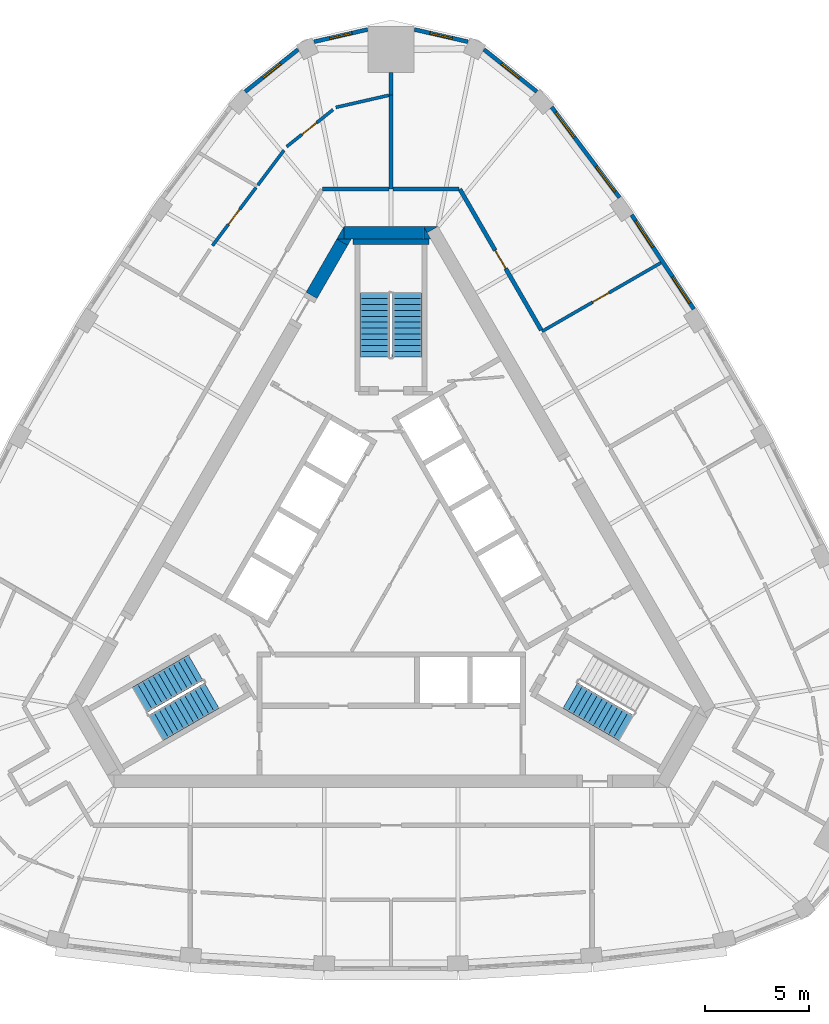
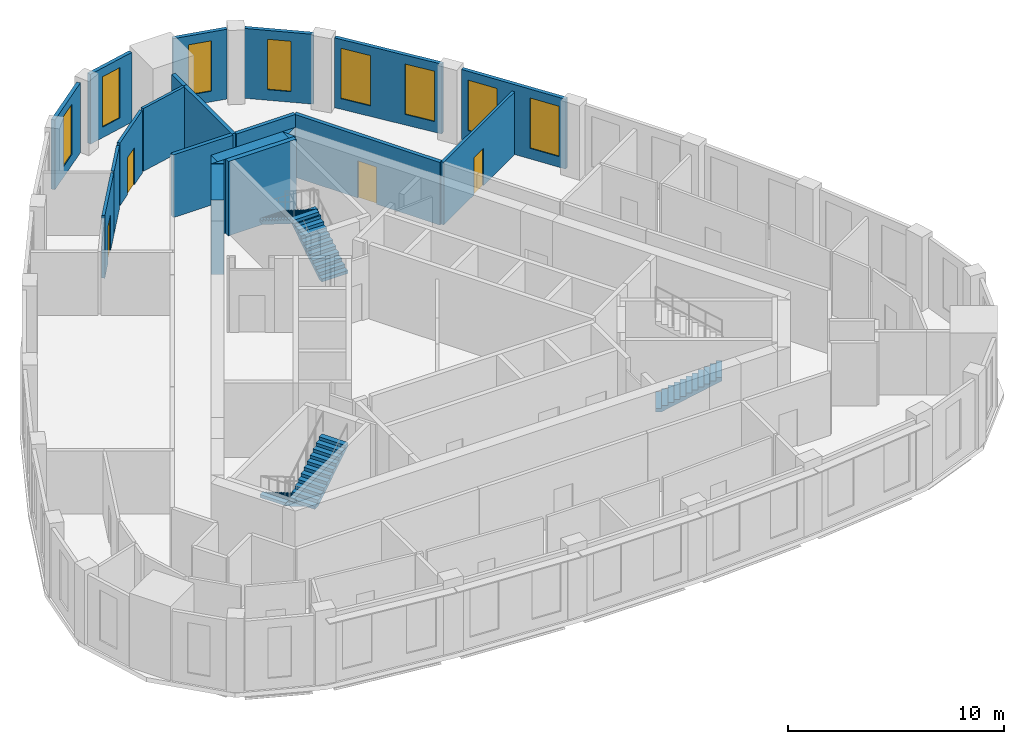
# One storey, part 8 of 10: 23 walls, 8 windows, 5 stair flights, 4 doors, 12 openings, 3 elements without a shape of their own.
"""IFC4 building model written with IfcOpenShell, lengths in metres."""

from ifc_helpers import new_model, si_unit, direction, frame, frame_2d, origin, place, context, subcontext, project, spatial, polyline, rectangle, outline, extrude, material, layer, layer_set, type_object, element, fill, aggregate, save


model = new_model("IFC4")

# Units and contexts
model_context = context("Model", 3, precision=1e-05, world=origin(), true_north=direction((0.0, 1.0)))
body_context = subcontext(model_context, "Body", "Model", "MODEL_VIEW")
ifc_project = project(units=[si_unit("LENGTHUNIT", "METRE"), si_unit("AREAUNIT", "SQUARE_METRE"), si_unit("VOLUMEUNIT", "CUBIC_METRE"), si_unit("PLANEANGLEUNIT", "RADIAN"), si_unit("MASSUNIT", "GRAM", prefix="KILO")], contexts=[model_context])

# Site, building, storey
site_placement = place(None, origin())
site = spatial("IfcSite", under=ifc_project, at=site_placement, CompositionType="ELEMENT")
building_placement = place(site_placement, origin())
building = spatial("IfcBuilding", under=site, at=building_placement, Name="Mestral Congress Tower", CompositionType="ELEMENT")
storey_placement = place(building_placement, frame((0.0, 0.0, 313.199951171875)))
storey = spatial("IfcBuildingStorey", under=building, at=storey_placement, Name="L73", CompositionType="ELEMENT", Elevation=313.199951171875)

# Walls
ifc_material_1 = material(Name="Concrete C60/75", Category="concrete")
ifc_layer_1 = layer(ifc_material_1, 0.60009765625)
ifc_layer_set_1 = layer_set([ifc_layer_1], Name="Concrete C60/75")
wall_type_1 = type_object("IfcWallType", Name="Core wall RC 600", PredefinedType="SOLIDWALL", material=ifc_layer_set_1)
placement = place(storey_placement, origin())
element("IfcWall", 1, at=placement, inside=storey, type_object=wall_type_1, Name="L73 core wall", PredefinedType="SOLIDWALL", context=body_context, shape_type="SweptSolid", body=[
    extrude(outline(polyline([(1.558837890625, 16.60009765625), (2.23486328125, 16.60009765625), (1.727783203125, 16.307373046875), (1.558837890625, 16.60009765625)])), origin(), (0.0, 0.0, 1.0), 4.199951171875),
])
wall_2_placement = place(storey_placement, frame((-2.258056640625, 16.300048828125, 0.0), z_axis=(0.0, 0.0, 1.0), x_axis=(1.0, 0.0, 0.0)))
element("IfcWall", 2, at=wall_2_placement, inside=storey, type_object=wall_type_1, Name="L73 core wall", PredefinedType="SOLIDWALL", context=body_context, shape_type="SweptSolid", body=[
    extrude(rectangle(XDim=3.8232421875, YDim=0.60009765625, at=frame_2d((1.91162109375, 0.0))), origin(), (0.0, 0.0, 1.0), 4.199951171875),
])
element("IfcWall", 3, at=placement, inside=storey, type_object=wall_type_1, Name="L73 core wall", PredefinedType="SOLIDWALL", context=body_context, shape_type="SweptSolid", body=[
    extrude(outline(polyline([(1.9052734375, 16.0), (1.5673828125, 16.0), (1.5673828125, 16.58544921875), (1.9052734375, 16.0)])), origin(), (0.0, 0.0, 1.0), 4.199951171875),
])
element("IfcWall", 4, at=placement, inside=storey, type_object=wall_type_1, Name="L73 core wall", PredefinedType="SOLIDWALL", context=body_context, shape_type="SweptSolid", body=[
    extrude(outline(polyline([(-2.59814453125, 16.0), (-2.260009765625, 16.58544921875), (-2.260009765625, 16.0), (-2.59814453125, 16.0)])), origin(), (0.0, 0.0, 1.0), 4.199951171875),
])
wall_5_placement = place(storey_placement, frame((-2.335205078125, 15.85546875, 0.0), z_axis=(0.0, 0.0, 1.0), x_axis=(-0.499960127962, -0.866048422692, 0.0)))
element("IfcWall", 5, at=wall_5_placement, inside=storey, type_object=wall_type_1, Name="L73 core wall", PredefinedType="SOLIDWALL", context=body_context, shape_type="SweptSolid", body=[
    extrude(rectangle(XDim=2.934326171875, YDim=0.60009765625, at=frame_2d((1.46728515625, 0.0))), origin(), (0.0, 0.0, 1.0), 4.199951171875),
])
element("IfcWall", 6, at=placement, inside=storey, type_object=wall_type_1, Name="L73 core wall", PredefinedType="SOLIDWALL", context=body_context, shape_type="SweptSolid", body=[
    extrude(outline(polyline([(-1.9052734375, 16.0), (-2.07421875, 15.707275390625), (-2.581298828125, 16.0), (-1.9052734375, 16.0)])), origin(), (0.0, 0.0, 1.0), 4.199951171875),
])

# Wall, openings, windows
ifc_material_2 = material(Name="Precast concrete C40/50 with limestone facing", Category="masonry")
ifc_layer_2 = layer(ifc_material_2, 0.18994140625)
ifc_layer_set_2 = layer_set([ifc_layer_2], Name="Precast concrete C40/50 with limestone facing")
wall_type_2 = type_object("IfcWallType", Name="Facade stone wall 190", PredefinedType="SOLIDWALL", material=ifc_layer_set_2)
wall_7_placement = place(storey_placement, frame((14.49560546875, 12.6533203125, 0.0), z_axis=(0.0, 0.0, 1.0), x_axis=(-0.550744054781, 0.83467417962, 0.0)))
wall_7 = element("IfcWall", 7, at=wall_7_placement, inside=storey, type_object=wall_type_2, Name="Facade wall F1-03", PredefinedType="SOLIDWALL", context=body_context, shape_type="SweptSolid", body=[
    extrude(rectangle(XDim=5.406005859375, YDim=0.18994140625, at=frame_2d((2.703125, 0.0))), origin(), (0.0, 0.0, 1.0), 3.949951171875),
])
opening_1_placement = place(wall_7_placement, frame((0.346435546875, 0.0, 0.60009765625)))
opening_1 = element("IfcOpeningElement", 8, at=opening_1_placement, cuts=wall_7, Name="Opening W6", PredefinedType="OPENING", context=body_context, shape_type="SweptSolid", body=[
    extrude(rectangle(XDim=1.5, YDim=2.85009765625, at=frame_2d((0.75, 1.425048828125))), frame((0.0, 0.10498046875, 0.0), z_axis=(0.0, -1.0, 0.0), x_axis=(1.0, 0.0, 0.0)), (0.0, 0.0, 1.0), 0.2099609375),
])
opening_2_placement = place(wall_7_placement, frame((3.559326171875, 0.0, 0.60009765625)))
opening_2 = element("IfcOpeningElement", 9, at=opening_2_placement, cuts=wall_7, Name="Opening W6", PredefinedType="OPENING", context=body_context, shape_type="SweptSolid", body=[
    extrude(rectangle(XDim=1.5, YDim=2.85009765625, at=frame_2d((0.75, 1.425048828125))), frame((0.0, 0.10498046875, 0.0), z_axis=(0.0, -1.0, 0.0), x_axis=(1.0, 0.0, 0.0)), (0.0, 0.0, 1.0), 0.2099609375),
])
ifc_material_3 = material(Name="Clear low-emissivity double glazing", Category="glass")
window_type_1 = type_object("IfcWindowType", Name="Facade punched window 1500 x 2850 sill 600", PartitioningType="SINGLE_PANEL", PredefinedType="WINDOW", material=ifc_material_3)
window_1_placement = place(opening_1_placement, origin())
window_1 = element("IfcWindow", 10, at=window_1_placement, inside=storey, type_object=window_type_1, Name="Window F1-03a", OverallHeight=2.85009765625, OverallWidth=1.5, PartitioningType="SINGLE_PANEL", PredefinedType="WINDOW", context=body_context, shape_type="SweptSolid", body=[
    extrude(rectangle(XDim=1.5, YDim=2.85009765625, at=frame_2d((0.75, 1.425048828125))), frame((0.0, 0.044921875, 0.0), z_axis=(0.0, -1.0, 0.0), x_axis=(1.0, 0.0, 0.0)), (0.0, 0.0, 1.0), 0.06005859375),
])
fill(opening_1, window_1)
window_2_placement = place(opening_2_placement, origin())
window_2 = element("IfcWindow", 11, at=window_2_placement, inside=storey, type_object=window_type_1, Name="Window F1-03b", OverallHeight=2.85009765625, OverallWidth=1.5, PartitioningType="SINGLE_PANEL", PredefinedType="WINDOW", context=body_context, shape_type="SweptSolid", body=[
    extrude(rectangle(XDim=1.5, YDim=2.85009765625, at=frame_2d((0.75, 1.425048828125))), frame((0.0, 0.044921875, 0.0), z_axis=(0.0, -1.0, 0.0), x_axis=(1.0, 0.0, 0.0)), (0.0, 0.0, 1.0), 0.06005859375),
])
fill(opening_2, window_2)

wall_8_placement = place(storey_placement, frame((10.938232421875, 17.989990234375, 0.0), z_axis=(0.0, 0.0, 1.0), x_axis=(-0.599559865294, 0.800329911929, 0.0)))
wall_8 = element("IfcWall", 12, at=wall_8_placement, inside=storey, type_object=wall_type_2, Name="Facade wall F1-04", PredefinedType="SOLIDWALL", context=body_context, shape_type="SweptSolid", body=[
    extrude(rectangle(XDim=5.4150390625, YDim=0.18994140625, at=frame_2d((2.70751953125, 0.0))), origin(), (0.0, 0.0, 1.0), 3.949951171875),
])
opening_3_placement = place(wall_8_placement, frame((0.357666015625, 0.0, 0.60009765625)))
opening_3 = element("IfcOpeningElement", 13, at=opening_3_placement, cuts=wall_8, Name="Opening W6", PredefinedType="OPENING", context=body_context, shape_type="SweptSolid", body=[
    extrude(rectangle(XDim=1.5, YDim=2.85009765625, at=frame_2d((0.75, 1.425048828125))), frame((0.0, 0.10498046875, 0.0), z_axis=(0.0, -1.0, 0.0), x_axis=(1.0, 0.0, 0.0)), (0.0, 0.0, 1.0), 0.2099609375),
])
opening_4_placement = place(wall_8_placement, frame((3.592529296875, 0.0, 0.60009765625)))
opening_4 = element("IfcOpeningElement", 14, at=opening_4_placement, cuts=wall_8, Name="Opening W6", PredefinedType="OPENING", context=body_context, shape_type="SweptSolid", body=[
    extrude(rectangle(XDim=1.5, YDim=2.85009765625, at=frame_2d((0.75, 1.425048828125))), frame((0.0, 0.10498046875, 0.0), z_axis=(0.0, -1.0, 0.0), x_axis=(1.0, 0.0, 0.0)), (0.0, 0.0, 1.0), 0.2099609375),
])
window_3_placement = place(opening_3_placement, origin())
window_3 = element("IfcWindow", 15, at=window_3_placement, inside=storey, type_object=window_type_1, Name="Window F1-04a", OverallHeight=2.85009765625, OverallWidth=1.5, PartitioningType="SINGLE_PANEL", PredefinedType="WINDOW", context=body_context, shape_type="SweptSolid", body=[
    extrude(rectangle(XDim=1.5, YDim=2.85009765625, at=frame_2d((0.75, 1.425048828125))), frame((0.0, 0.044921875, 0.0), z_axis=(0.0, -1.0, 0.0), x_axis=(1.0, 0.0, 0.0)), (0.0, 0.0, 1.0), 0.06005859375),
])
fill(opening_3, window_3)
window_4_placement = place(opening_4_placement, origin())
window_4 = element("IfcWindow", 16, at=window_4_placement, inside=storey, type_object=window_type_1, Name="Window F1-04b", OverallHeight=2.85009765625, OverallWidth=1.5, PartitioningType="SINGLE_PANEL", PredefinedType="WINDOW", context=body_context, shape_type="SweptSolid", body=[
    extrude(rectangle(XDim=1.5, YDim=2.85009765625, at=frame_2d((0.75, 1.425048828125))), frame((0.0, 0.044921875, 0.0), z_axis=(0.0, -1.0, 0.0), x_axis=(1.0, 0.0, 0.0)), (0.0, 0.0, 1.0), 0.06005859375),
])
fill(opening_4, window_4)

# Wall, opening, window
wall_9_placement = place(storey_placement, frame((6.977294921875, 23.061279296875, 0.0), z_axis=(0.0, 0.0, 1.0), x_axis=(-0.781626234064, 0.623747088349, 0.0)))
wall_9 = element("IfcWall", 17, at=wall_9_placement, inside=storey, type_object=wall_type_2, Name="Facade wall K1-0", PredefinedType="SOLIDWALL", context=body_context, shape_type="SweptSolid", body=[
    extrude(rectangle(XDim=3.236572265625, YDim=0.18994140625, at=frame_2d((1.6181640625, 0.0))), origin(), (0.0, 0.0, 1.0), 3.949951171875),
])
opening_5_placement = place(wall_9_placement, frame((1.068359375, 0.0, 0.60009765625)))
opening_5 = element("IfcOpeningElement", 18, at=opening_5_placement, cuts=wall_9, Name="Opening W7", PredefinedType="OPENING", context=body_context, shape_type="SweptSolid", body=[
    extrude(rectangle(XDim=1.10009765625, YDim=2.85009765625, at=frame_2d((0.550048828125, 1.425048828125))), frame((0.0, 0.10498046875, 0.0), z_axis=(0.0, -1.0, 0.0), x_axis=(1.0, 0.0, 0.0)), (0.0, 0.0, 1.0), 0.2099609375),
])
window_type_2 = type_object("IfcWindowType", Name="Facade punched window 1100 x 2850 sill 600", PartitioningType="SINGLE_PANEL", PredefinedType="WINDOW", material=ifc_material_3)
window_5_placement = place(opening_5_placement, origin())
window_5 = element("IfcWindow", 19, at=window_5_placement, inside=storey, type_object=window_type_2, Name="Window K1-0", OverallHeight=2.85009765625, OverallWidth=1.10009765625, PartitioningType="SINGLE_PANEL", PredefinedType="WINDOW", context=body_context, shape_type="SweptSolid", body=[
    extrude(rectangle(XDim=1.10009765625, YDim=2.85009765625, at=frame_2d((0.550048828125, 1.425048828125))), frame((0.0, 0.044921875, 0.0), z_axis=(0.0, -1.0, 0.0), x_axis=(1.0, 0.0, 0.0)), (0.0, 0.0, 1.0), 0.06005859375),
])
fill(opening_5, window_5)

wall_10_placement = place(storey_placement, frame((3.6826171875, 25.44873046875, 0.0), z_axis=(0.0, 0.0, 1.0), x_axis=(-0.974913273386, 0.222585060988, 0.0)))
wall_10 = element("IfcWall", 20, at=wall_10_placement, inside=storey, type_object=wall_type_2, Name="Facade wall K1-1", PredefinedType="SOLIDWALL", context=body_context, shape_type="SweptSolid", body=[
    extrude(rectangle(XDim=2.626953125, YDim=0.18994140625, at=frame_2d((1.3134765625, 0.0))), origin(), (0.0, 0.0, 1.0), 3.949951171875),
])
opening_6_placement = place(wall_10_placement, frame((0.763427734375, 0.0, 0.60009765625)))
opening_6 = element("IfcOpeningElement", 21, at=opening_6_placement, cuts=wall_10, Name="Opening W7", PredefinedType="OPENING", context=body_context, shape_type="SweptSolid", body=[
    extrude(rectangle(XDim=1.10009765625, YDim=2.85009765625, at=frame_2d((0.550048828125, 1.425048828125))), frame((0.0, 0.10498046875, 0.0), z_axis=(0.0, -1.0, 0.0), x_axis=(1.0, 0.0, 0.0)), (0.0, 0.0, 1.0), 0.2099609375),
])
window_6_placement = place(opening_6_placement, origin())
window_6 = element("IfcWindow", 22, at=window_6_placement, inside=storey, type_object=window_type_2, Name="Window K1-1", OverallHeight=2.85009765625, OverallWidth=1.10009765625, PartitioningType="SINGLE_PANEL", PredefinedType="WINDOW", context=body_context, shape_type="SweptSolid", body=[
    extrude(rectangle(XDim=1.10009765625, YDim=2.85009765625, at=frame_2d((0.550048828125, 1.425048828125))), frame((0.0, 0.044921875, 0.0), z_axis=(0.0, -1.0, 0.0), x_axis=(1.0, 0.0, 0.0)), (0.0, 0.0, 1.0), 0.06005859375),
])
fill(opening_6, window_6)

wall_11_placement = place(storey_placement, frame((-1.12158203125, 26.033447265625, 0.0), z_axis=(0.0, 0.0, 1.0), x_axis=(-0.974913273386, -0.222585060988, 0.0)))
wall_11 = element("IfcWall", 23, at=wall_11_placement, inside=storey, type_object=wall_type_2, Name="Facade wall K1-2", PredefinedType="SOLIDWALL", context=body_context, shape_type="SweptSolid", body=[
    extrude(rectangle(XDim=2.626953125, YDim=0.18994140625, at=frame_2d((1.3134765625, 0.0))), origin(), (0.0, 0.0, 1.0), 3.949951171875),
])
opening_7_placement = place(wall_11_placement, frame((0.763427734375, 0.0, 0.60009765625)))
opening_7 = element("IfcOpeningElement", 24, at=opening_7_placement, cuts=wall_11, Name="Opening W7", PredefinedType="OPENING", context=body_context, shape_type="SweptSolid", body=[
    extrude(rectangle(XDim=1.10009765625, YDim=2.85009765625, at=frame_2d((0.550048828125, 1.425048828125))), frame((0.0, 0.10498046875, 0.0), z_axis=(0.0, -1.0, 0.0), x_axis=(1.0, 0.0, 0.0)), (0.0, 0.0, 1.0), 0.2099609375),
])
window_7_placement = place(opening_7_placement, origin())
window_7 = element("IfcWindow", 25, at=window_7_placement, inside=storey, type_object=window_type_2, Name="Window K1-2", OverallHeight=2.85009765625, OverallWidth=1.10009765625, PartitioningType="SINGLE_PANEL", PredefinedType="WINDOW", context=body_context, shape_type="SweptSolid", body=[
    extrude(rectangle(XDim=1.10009765625, YDim=2.85009765625, at=frame_2d((0.550048828125, 1.425048828125))), frame((0.0, 0.044921875, 0.0), z_axis=(0.0, -1.0, 0.0), x_axis=(1.0, 0.0, 0.0)), (0.0, 0.0, 1.0), 0.06005859375),
])
fill(opening_7, window_7)

wall_12_placement = place(storey_placement, frame((-4.447509765625, 25.080078125, 0.0), z_axis=(0.0, 0.0, 1.0), x_axis=(-0.781626234064, -0.623747088349, 0.0)))
wall_12 = element("IfcWall", 26, at=wall_12_placement, inside=storey, type_object=wall_type_2, Name="Facade wall K1-3", PredefinedType="SOLIDWALL", context=body_context, shape_type="SweptSolid", body=[
    extrude(rectangle(XDim=3.236572265625, YDim=0.18994140625, at=frame_2d((1.6181640625, 0.0))), origin(), (0.0, 0.0, 1.0), 3.949951171875),
])
opening_8_placement = place(wall_12_placement, frame((1.068359375, 0.0, 0.60009765625)))
opening_8 = element("IfcOpeningElement", 27, at=opening_8_placement, cuts=wall_12, Name="Opening W7", PredefinedType="OPENING", context=body_context, shape_type="SweptSolid", body=[
    extrude(rectangle(XDim=1.10009765625, YDim=2.85009765625, at=frame_2d((0.550048828125, 1.425048828125))), frame((0.0, 0.10498046875, 0.0), z_axis=(0.0, -1.0, 0.0), x_axis=(1.0, 0.0, 0.0)), (0.0, 0.0, 1.0), 0.2099609375),
])
window_8_placement = place(opening_8_placement, origin())
window_8 = element("IfcWindow", 28, at=window_8_placement, inside=storey, type_object=window_type_2, Name="Window K1-3", OverallHeight=2.85009765625, OverallWidth=1.10009765625, PartitioningType="SINGLE_PANEL", PredefinedType="WINDOW", context=body_context, shape_type="SweptSolid", body=[
    extrude(rectangle(XDim=1.10009765625, YDim=2.85009765625, at=frame_2d((0.550048828125, 1.425048828125))), frame((0.0, 0.044921875, 0.0), z_axis=(0.0, -1.0, 0.0), x_axis=(1.0, 0.0, 0.0)), (0.0, 0.0, 1.0), 0.06005859375),
])
fill(opening_8, window_8)

# Wall, opening, door
ifc_material_4 = material(Name="Plasterboard partition on steel studs", Category="steel")
ifc_layer_3 = layer(ifc_material_4, 0.14990234375)
ifc_layer_set_3 = layer_set([ifc_layer_3], Name="Plasterboard partition on steel studs")
wall_type_3 = type_object("IfcWallType", Name="Office partition 150", PredefinedType="PARTITIONING", material=ifc_layer_set_3)
wall_13_placement = place(storey_placement, frame((12.91796875, 14.87158203125, 0.0), z_axis=(0.0, 0.0, 1.0), x_axis=(-0.866033427365, -0.499986102494, 0.0)))
wall_13 = element("IfcWall", 29, at=wall_13_placement, inside=storey, type_object=wall_type_3, Name="Partition", PredefinedType="PARTITIONING", context=body_context, shape_type="SweptSolid", body=[
    extrude(rectangle(XDim=6.572998046875, YDim=0.14990234375, at=frame_2d((3.28662109375, 0.0))), origin(), (0.0, 0.0, 1.0), 3.550048828125),
])
opening_9_placement = place(wall_13_placement, frame((2.873046875, 0.0, 0.0)))
opening_9 = element("IfcOpeningElement", 30, at=opening_9_placement, cuts=wall_13, Name="Opening O14-009", PredefinedType="OPENING", context=body_context, shape_type="SweptSolid", body=[
    extrude(rectangle(XDim=0.89990234375, YDim=2.10009765625, at=frame_2d((0.449951171875, 1.050048828125))), frame((0.0, 0.0849609375, 0.0), z_axis=(0.0, -1.0, 0.0), x_axis=(1.0, 0.0, 0.0)), (0.0, 0.0, 1.0), 0.169921875),
])
ifc_material_5 = material(Name="Timber door set", Category="wood")
door_type_1 = type_object("IfcDoorType", Name="Office door 900x2100", OperationType="SINGLE_SWING_LEFT", PredefinedType="DOOR", material=ifc_material_5)
door_1_placement = place(opening_9_placement, origin())
door_1 = element("IfcDoor", 31, at=door_1_placement, inside=storey, type_object=door_type_1, Name="Door O14-009", OperationType="SINGLE_SWING_RIGHT", OverallHeight=2.10009765625, OverallWidth=0.89990234375, PredefinedType="DOOR", context=body_context, shape_type="SweptSolid", body=[
    extrude(rectangle(XDim=0.89990234375, YDim=2.10009765625, at=frame_2d((0.449951171875, 1.050048828125))), frame((0.0, 0.02490234375, 0.0), z_axis=(0.0, -1.0, 0.0), x_axis=(1.0, 0.0, 0.0)), (0.0, 0.0, 1.0), 0.050048828125),
])
fill(opening_9, door_1)

# Wall
wall_14_placement = place(storey_placement, frame((-0.10009765625, 22.886962890625, 0.0), z_axis=(0.0, 0.0, 1.0), x_axis=(-0.974895716418, -0.222661945805, 0.0)))
element("IfcWall", 32, at=wall_14_placement, inside=storey, type_object=wall_type_3, Name="Partition", PredefinedType="PARTITIONING", context=body_context, shape_type="SweptSolid", body=[
    extrude(rectangle(XDim=2.605224609375, YDim=0.14990234375, at=frame_2d((1.302734375, 0.0))), origin(), (0.0, 0.0, 1.0), 3.550048828125),
])

# Wall, opening, door
wall_15_placement = place(storey_placement, frame((-4.995361328125, 20.42724609375, 0.0), z_axis=(0.0, 0.0, 1.0), x_axis=(0.781622833459, 0.62375134967, 0.0)))
wall_15 = element("IfcWall", 33, at=wall_15_placement, inside=storey, type_object=wall_type_3, Name="Partition", PredefinedType="PARTITIONING", context=body_context, shape_type="SweptSolid", body=[
    extrude(rectangle(XDim=2.8408203125, YDim=0.14990234375, at=frame_2d((1.42041015625, 0.0))), origin(), (0.0, 0.0, 1.0), 3.550048828125),
])
opening_10_placement = place(wall_15_placement, frame((0.940673828125, 0.0, 0.0)))
opening_10 = element("IfcOpeningElement", 34, at=opening_10_placement, cuts=wall_15, Name="Opening O14-011", PredefinedType="OPENING", context=body_context, shape_type="SweptSolid", body=[
    extrude(rectangle(XDim=0.89990234375, YDim=2.10009765625, at=frame_2d((0.449951171875, 1.050048828125))), frame((0.0, 0.0849609375, 0.0), z_axis=(0.0, -1.0, 0.0), x_axis=(1.0, 0.0, 0.0)), (0.0, 0.0, 1.0), 0.169921875),
])
door_2_placement = place(opening_10_placement, origin())
door_2 = element("IfcDoor", 35, at=door_2_placement, inside=storey, type_object=door_type_1, Name="Door O14-011", OperationType="SINGLE_SWING_LEFT", OverallHeight=2.10009765625, OverallWidth=0.89990234375, PredefinedType="DOOR", context=body_context, shape_type="SweptSolid", body=[
    extrude(rectangle(XDim=0.89990234375, YDim=2.10009765625, at=frame_2d((0.449951171875, 1.050048828125))), frame((0.0, 0.02490234375, 0.0), z_axis=(0.0, -1.0, 0.0), x_axis=(1.0, 0.0, 0.0)), (0.0, 0.0, 1.0), 0.050048828125),
])
fill(opening_10, door_2)

# Wall
wall_16_placement = place(storey_placement, frame((-5.123779296875, 20.255859375, 0.0), z_axis=(0.0, 0.0, 1.0), x_axis=(-0.599549274705, -0.800337845663, 0.0)))
element("IfcWall", 36, at=wall_16_placement, inside=storey, type_object=wall_type_3, Name="Partition", PredefinedType="PARTITIONING", context=body_context, shape_type="SweptSolid", body=[
    extrude(rectangle(XDim=2.080322265625, YDim=0.14990234375, at=frame_2d((1.0400390625, 0.0))), origin(), (0.0, 0.0, 1.0), 3.550048828125),
])

# Wall, opening, door
wall_17_placement = place(storey_placement, frame((-8.54443359375, 15.689697265625, 0.0), z_axis=(0.0, 0.0, 1.0), x_axis=(0.599538824769, 0.800345673815, 0.0)))
wall_17 = element("IfcWall", 37, at=wall_17_placement, inside=storey, type_object=wall_type_3, Name="Partition", PredefinedType="PARTITIONING", context=body_context, shape_type="SweptSolid", body=[
    extrude(rectangle(XDim=3.4736328125, YDim=0.14990234375, at=frame_2d((1.73681640625, 0.0))), origin(), (0.0, 0.0, 1.0), 3.550048828125),
])
opening_11_placement = place(wall_17_placement, frame((1.273681640625, 0.0, 0.0)))
opening_11 = element("IfcOpeningElement", 38, at=opening_11_placement, cuts=wall_17, Name="Opening O14-012", PredefinedType="OPENING", context=body_context, shape_type="SweptSolid", body=[
    extrude(rectangle(XDim=0.89990234375, YDim=2.10009765625, at=frame_2d((0.449951171875, 1.050048828125))), frame((0.0, 0.0849609375, 0.0), z_axis=(0.0, -1.0, 0.0), x_axis=(1.0, 0.0, 0.0)), (0.0, 0.0, 1.0), 0.169921875),
])
door_3_placement = place(opening_11_placement, origin())
door_3 = element("IfcDoor", 39, at=door_3_placement, inside=storey, type_object=door_type_1, Name="Door O14-012", OperationType="SINGLE_SWING_LEFT", OverallHeight=2.10009765625, OverallWidth=0.89990234375, PredefinedType="DOOR", context=body_context, shape_type="SweptSolid", body=[
    extrude(rectangle(XDim=0.89990234375, YDim=2.10009765625, at=frame_2d((0.449951171875, 1.050048828125))), frame((0.0, 0.02490234375, 0.0), z_axis=(0.0, -1.0, 0.0), x_axis=(1.0, 0.0, 0.0)), (0.0, 0.0, 1.0), 0.050048828125),
])
fill(opening_11, door_3)

# Walls
ifc_material_6 = material(Name="Dense masonry wall, plastered", Category="masonry")
ifc_layer_4 = layer(ifc_material_6, 0.199951171875)
ifc_layer_set_4 = layer_set([ifc_layer_4], Name="Dense masonry wall, plastered")
wall_type_4 = type_object("IfcWallType", Name="Office tenancy wall 200", PredefinedType="PARTITIONING", material=ifc_layer_set_4)
wall_18_placement = place(storey_placement, frame((0.0, 22.90576171875, 0.0), z_axis=(0.0, 0.0, 1.0), x_axis=(0.0, 1.0, 0.0)))
element("IfcWall", 40, at=wall_18_placement, inside=storey, type_object=wall_type_4, Name="Tenancy wall", PredefinedType="PARTITIONING", context=body_context, shape_type="SweptSolid", body=[
    extrude(rectangle(XDim=1.072265625, YDim=0.199951171875, at=frame_2d((0.5361328125, 0.0))), origin(), (0.0, 0.0, 1.0), 3.550048828125),
])
wall_19_placement = place(storey_placement, frame((0.0, 18.39990234375, 0.0), z_axis=(0.0, 0.0, 1.0), x_axis=(0.0, 1.0, 0.0)))
element("IfcWall", 41, at=wall_19_placement, inside=storey, type_object=wall_type_4, Name="Tenancy wall", PredefinedType="PARTITIONING", context=body_context, shape_type="SweptSolid", body=[
    extrude(rectangle(XDim=4.513916015625, YDim=0.199951171875, at=frame_2d((2.2568359375, 0.0))), origin(), (0.0, 0.0, 1.0), 3.550048828125),
])

# Wall, opening, door
wall_20_placement = place(storey_placement, frame((7.18798828125, 11.64990234375, 0.0), z_axis=(0.0, 0.0, 1.0), x_axis=(-0.499986368499, 0.866033273792, 0.0)))
wall_20 = element("IfcWall", 42, at=wall_20_placement, inside=storey, type_object=wall_type_4, Name="Tenancy wall", PredefinedType="PARTITIONING", context=body_context, shape_type="SweptSolid", body=[
    extrude(rectangle(XDim=7.794189453125, YDim=0.199951171875, at=frame_2d((3.89697265625, 0.0))), origin(), (0.0, 0.0, 1.0), 3.550048828125),
])
opening_12_placement = place(wall_20_placement, frame((3.39990234375, 0.0, 0.0)))
opening_12 = element("IfcOpeningElement", 43, at=opening_12_placement, cuts=wall_20, Name="Opening O14-010", PredefinedType="OPENING", context=body_context, shape_type="SweptSolid", body=[
    extrude(rectangle(XDim=1.0, YDim=2.10009765625, at=frame_2d((0.5, 1.050048828125))), frame((0.0, 0.10986328125, 0.0), z_axis=(0.0, -1.0, 0.0), x_axis=(1.0, 0.0, 0.0)), (0.0, 0.0, 1.0), 0.219970703125),
])
ifc_material_7 = material(Name="Fire-rated timber door set", Category="wood")
door_type_2 = type_object("IfcDoorType", Name="Office tenancy entrance door 1000x2100", OperationType="SINGLE_SWING_LEFT", PredefinedType="DOOR", material=ifc_material_7)
door_4_placement = place(opening_12_placement, origin())
door_4 = element("IfcDoor", 44, at=door_4_placement, inside=storey, type_object=door_type_2, Name="Door O14-010", OperationType="SINGLE_SWING_RIGHT", OverallHeight=2.10009765625, OverallWidth=1.0, PredefinedType="DOOR", context=body_context, shape_type="SweptSolid", body=[
    extrude(rectangle(XDim=1.0, YDim=2.10009765625, at=frame_2d((0.5, 1.050048828125))), frame((0.0, 0.02490234375, 0.0), z_axis=(0.0, -1.0, 0.0), x_axis=(1.0, 0.0, 0.0)), (0.0, 0.0, 1.0), 0.050048828125),
])
fill(opening_12, door_4)

# Walls
wall_21_placement = place(storey_placement, frame((3.260986328125, 18.39990234375, 0.0), z_axis=(0.0, 0.0, 1.0), x_axis=(-1.0, 0.0, 0.0)))
element("IfcWall", 45, at=wall_21_placement, inside=storey, type_object=wall_type_4, Name="Tenancy wall", PredefinedType="PARTITIONING", context=body_context, shape_type="SweptSolid", body=[
    extrude(rectangle(XDim=3.160888671875, YDim=0.199951171875, at=frame_2d((1.58056640625, 0.0))), origin(), (0.0, 0.0, 1.0), 3.550048828125),
])
wall_22_placement = place(storey_placement, frame((-0.10009765625, 18.39990234375, 0.0), z_axis=(0.0, 0.0, 1.0), x_axis=(-1.0, 0.0, 0.0)))
element("IfcWall", 46, at=wall_22_placement, inside=storey, type_object=wall_type_4, Name="Tenancy wall", PredefinedType="PARTITIONING", context=body_context, shape_type="SweptSolid", body=[
    extrude(rectangle(XDim=3.19091796875, YDim=0.199951171875, at=frame_2d((1.595458984375, 0.0))), origin(), (0.0, 0.0, 1.0), 3.550048828125),
])
ifc_layer_5 = layer(ifc_material_1, 0.25)
ifc_layer_set_5 = layer_set([ifc_layer_5], Name="Concrete C60/75")
wall_type_5 = type_object("IfcWallType", Name="Stair wall RC 250", PredefinedType="SOLIDWALL", material=ifc_layer_set_5)
wall_23_placement = place(storey_placement, frame((-1.81689453125, 15.875, 0.0), z_axis=(0.0, 0.0, 1.0), x_axis=(1.0, 0.0, 0.0)))
element("IfcWall", 47, at=wall_23_placement, inside=storey, type_object=wall_type_5, Name="L73 core wall", PredefinedType="SOLIDWALL", context=body_context, shape_type="SweptSolid", body=[
    extrude(rectangle(XDim=3.6337890625, YDim=0.25, at=frame_2d((1.81689453125, 0.0))), origin(), (0.0, 0.0, 1.0), 4.199951171875),
])

# Stair, stair flight
stair_type = type_object("IfcStairType", Name="Exit stair 1400", PredefinedType="HALF_TURN_STAIR", material=ifc_material_1)
stair_1 = element("IfcStair", 48, at=placement, inside=storey, type_object=stair_type, Name="L73 ST1", PredefinedType="HALF_TURN_STAIR")
stair_flight_type = type_object("IfcStairFlightType", Name="Exit stair flight 1400", PredefinedType="STRAIGHT", material=ifc_material_1)
stair_flight_1_placement = place(storey_placement, frame((8.575927734375, -5.84619140625, 0.0), z_axis=(0.0, 0.0, 1.0), x_axis=(0.866025403784, -0.5, 0.0)))
stair_flight_1 = element("IfcStairFlight", 49, at=stair_flight_1_placement, type_object=stair_flight_type, Name="ST1 flight 1", NumberOfRisers=12, NumberOfTreads=11, PredefinedType="STRAIGHT", RiserHeight=0.175, TreadLength=0.28, context=body_context, shape_type="SweptSolid", body=[
    extrude(outline(polyline([(0.0, 0.0), (0.0, 0.175048828125), (0.280029296875, 0.175048828125), (0.280029296875, 0.35009765625), (0.56005859375, 0.35009765625), (0.56005859375, 0.52490234375), (0.840087890625, 0.52490234375), (0.840087890625, 0.699951171875), (1.1201171875, 0.699951171875), (1.1201171875, 0.875), (1.39990234375, 0.875), (1.39990234375, 1.050048828125), (1.679931640625, 1.050048828125), (1.679931640625, 1.22509765625), (1.9599609375, 1.22509765625), (1.9599609375, 1.39990234375), (2.239990234375, 1.39990234375), (2.239990234375, 1.574951171875), (2.52001953125, 1.574951171875), (2.52001953125, 1.75), (2.800048828125, 1.75), (2.800048828125, 1.925048828125), (3.080078125, 1.925048828125), (3.080078125, 2.10009765625), (3.080078125, 1.748291015625), (0.28271484375, 0.0), (0.0, 0.0)])), frame((0.0, 0.699951171875, 0.0), z_axis=(0.0, -1.0, 0.0), x_axis=(1.0, 0.0, 0.0)), (0.0, 0.0, 1.0), 1.39990234375),
])
aggregate(stair_1, [stair_flight_1])

# Stair, stair flights
stair_2 = element("IfcStair", 50, at=placement, inside=storey, type_object=stair_type, Name="L73 ST2", PredefinedType="HALF_TURN_STAIR")
stair_flight_2_placement = place(storey_placement, frame((0.77490234375, 10.35009765625, 0.0), z_axis=(0.0, 0.0, 1.0), x_axis=(0.0, 1.0, 0.0)))
stair_flight_2 = element("IfcStairFlight", 51, at=stair_flight_2_placement, type_object=stair_flight_type, Name="ST2 flight 1", NumberOfRisers=12, NumberOfTreads=11, PredefinedType="STRAIGHT", RiserHeight=0.175, TreadLength=0.28, context=body_context, shape_type="SweptSolid", body=[
    extrude(outline(polyline([(0.0, 0.0), (0.0, 0.175048828125), (0.280029296875, 0.175048828125), (0.280029296875, 0.35009765625), (0.56005859375, 0.35009765625), (0.56005859375, 0.52490234375), (0.840087890625, 0.52490234375), (0.840087890625, 0.699951171875), (1.1201171875, 0.699951171875), (1.1201171875, 0.875), (1.39990234375, 0.875), (1.39990234375, 1.050048828125), (1.679931640625, 1.050048828125), (1.679931640625, 1.22509765625), (1.9599609375, 1.22509765625), (1.9599609375, 1.39990234375), (2.239990234375, 1.39990234375), (2.239990234375, 1.574951171875), (2.52001953125, 1.574951171875), (2.52001953125, 1.75), (2.800048828125, 1.75), (2.800048828125, 1.925048828125), (3.080078125, 1.925048828125), (3.080078125, 2.10009765625), (3.080078125, 1.748291015625), (0.28271484375, 0.0), (0.0, 0.0)])), frame((0.0, 0.699951171875, 0.0), z_axis=(0.0, -1.0, 0.0), x_axis=(1.0, 0.0, 0.0)), (0.0, 0.0, 1.0), 1.39990234375),
])
stair_flight_3_placement = place(storey_placement, frame((-0.77490234375, 13.429931640625, 2.10009765625), z_axis=(0.0, 0.0, 1.0), x_axis=(0.0, -1.0, 0.0)))
stair_flight_3 = element("IfcStairFlight", 52, at=stair_flight_3_placement, type_object=stair_flight_type, Name="ST2 flight 2", NumberOfRisers=12, NumberOfTreads=11, PredefinedType="STRAIGHT", RiserHeight=0.175, TreadLength=0.28, context=body_context, shape_type="SweptSolid", body=[
    extrude(outline(polyline([(0.0, 0.0), (0.0, 0.175048828125), (0.280029296875, 0.175048828125), (0.280029296875, 0.35009765625), (0.56005859375, 0.35009765625), (0.56005859375, 0.52490234375), (0.840087890625, 0.52490234375), (0.840087890625, 0.699951171875), (1.1201171875, 0.699951171875), (1.1201171875, 0.875), (1.39990234375, 0.875), (1.39990234375, 1.050048828125), (1.679931640625, 1.050048828125), (1.679931640625, 1.22509765625), (1.9599609375, 1.22509765625), (1.9599609375, 1.39990234375), (2.239990234375, 1.39990234375), (2.239990234375, 1.574951171875), (2.52001953125, 1.574951171875), (2.52001953125, 1.75), (2.800048828125, 1.75), (2.800048828125, 1.925048828125), (3.080078125, 1.925048828125), (3.080078125, 2.10009765625), (3.080078125, 1.748291015625), (0.28271484375, 0.0), (0.0, 0.0)])), frame((0.0, 0.699951171875, 0.0), z_axis=(0.0, -1.0, 0.0), x_axis=(1.0, 0.0, 0.0)), (0.0, 0.0, 1.0), 1.39990234375),
])
aggregate(stair_2, [stair_flight_2, stair_flight_3])

stair_3 = element("IfcStair", 53, at=placement, inside=storey, type_object=stair_type, Name="L73 ST3", PredefinedType="HALF_TURN_STAIR")
stair_flight_4_placement = place(storey_placement, frame((-9.350830078125, -4.50390625, 0.0), z_axis=(0.0, 0.0, 1.0), x_axis=(-0.866025403784, -0.5, 0.0)))
stair_flight_4 = element("IfcStairFlight", 54, at=stair_flight_4_placement, type_object=stair_flight_type, Name="ST3 flight 1", NumberOfRisers=12, NumberOfTreads=11, PredefinedType="STRAIGHT", RiserHeight=0.175, TreadLength=0.28, context=body_context, shape_type="SweptSolid", body=[
    extrude(outline(polyline([(0.0, 0.0), (0.0, 0.175048828125), (0.280029296875, 0.175048828125), (0.280029296875, 0.35009765625), (0.56005859375, 0.35009765625), (0.56005859375, 0.52490234375), (0.840087890625, 0.52490234375), (0.840087890625, 0.699951171875), (1.1201171875, 0.699951171875), (1.1201171875, 0.875), (1.39990234375, 0.875), (1.39990234375, 1.050048828125), (1.679931640625, 1.050048828125), (1.679931640625, 1.22509765625), (1.9599609375, 1.22509765625), (1.9599609375, 1.39990234375), (2.239990234375, 1.39990234375), (2.239990234375, 1.574951171875), (2.52001953125, 1.574951171875), (2.52001953125, 1.75), (2.800048828125, 1.75), (2.800048828125, 1.925048828125), (3.080078125, 1.925048828125), (3.080078125, 2.10009765625), (3.080078125, 1.748291015625), (0.28271484375, 0.0), (0.0, 0.0)])), frame((0.0, 0.699951171875, 0.0), z_axis=(0.0, -1.0, 0.0), x_axis=(1.0, 0.0, 0.0)), (0.0, 0.0, 1.0), 1.39990234375),
])
stair_flight_5_placement = place(storey_placement, frame((-11.2431640625, -7.38623046875, 2.10009765625), z_axis=(0.0, 0.0, 1.0), x_axis=(0.866025403784, 0.5, 0.0)))
stair_flight_5 = element("IfcStairFlight", 55, at=stair_flight_5_placement, type_object=stair_flight_type, Name="ST3 flight 2", NumberOfRisers=12, NumberOfTreads=11, PredefinedType="STRAIGHT", RiserHeight=0.175, TreadLength=0.28, context=body_context, shape_type="SweptSolid", body=[
    extrude(outline(polyline([(0.0, 0.0), (0.0, 0.175048828125), (0.280029296875, 0.175048828125), (0.280029296875, 0.35009765625), (0.56005859375, 0.35009765625), (0.56005859375, 0.52490234375), (0.840087890625, 0.52490234375), (0.840087890625, 0.699951171875), (1.1201171875, 0.699951171875), (1.1201171875, 0.875), (1.39990234375, 0.875), (1.39990234375, 1.050048828125), (1.679931640625, 1.050048828125), (1.679931640625, 1.22509765625), (1.9599609375, 1.22509765625), (1.9599609375, 1.39990234375), (2.239990234375, 1.39990234375), (2.239990234375, 1.574951171875), (2.52001953125, 1.574951171875), (2.52001953125, 1.75), (2.800048828125, 1.75), (2.800048828125, 1.925048828125), (3.080078125, 1.925048828125), (3.080078125, 2.10009765625), (3.080078125, 1.748291015625), (0.28271484375, 0.0), (0.0, 0.0)])), frame((0.0, 0.699951171875, 0.0), z_axis=(0.0, -1.0, 0.0), x_axis=(1.0, 0.0, 0.0)), (0.0, 0.0, 1.0), 1.39990234375),
])
aggregate(stair_3, [stair_flight_4, stair_flight_5])

save(model, "model.ifc")
